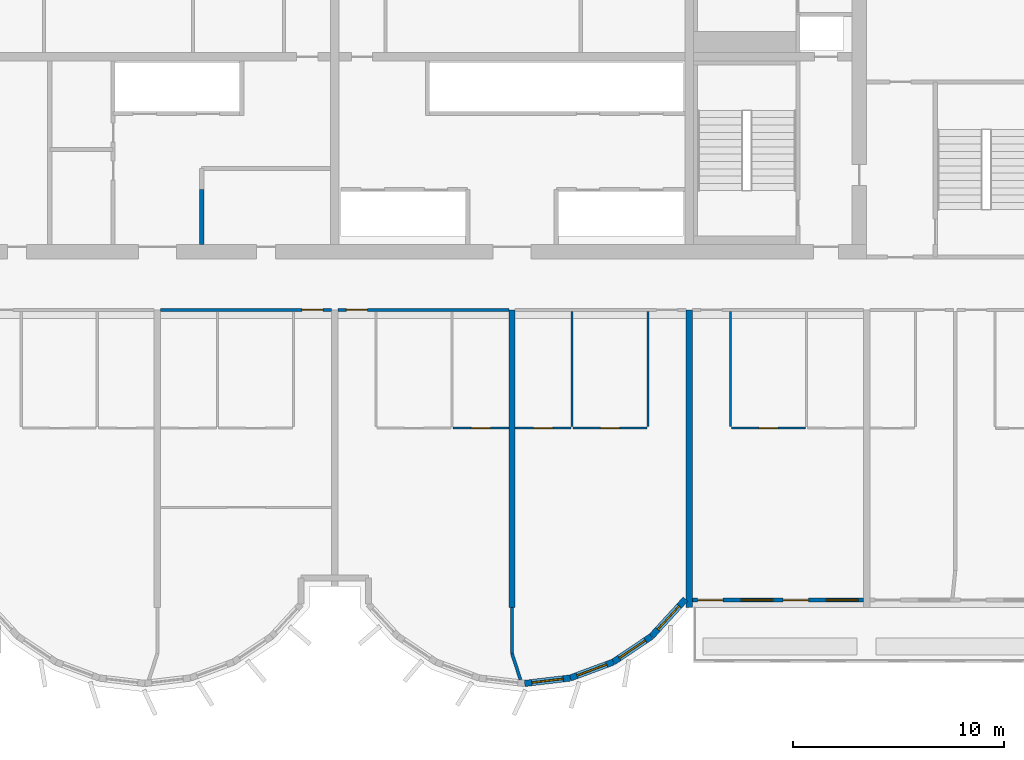
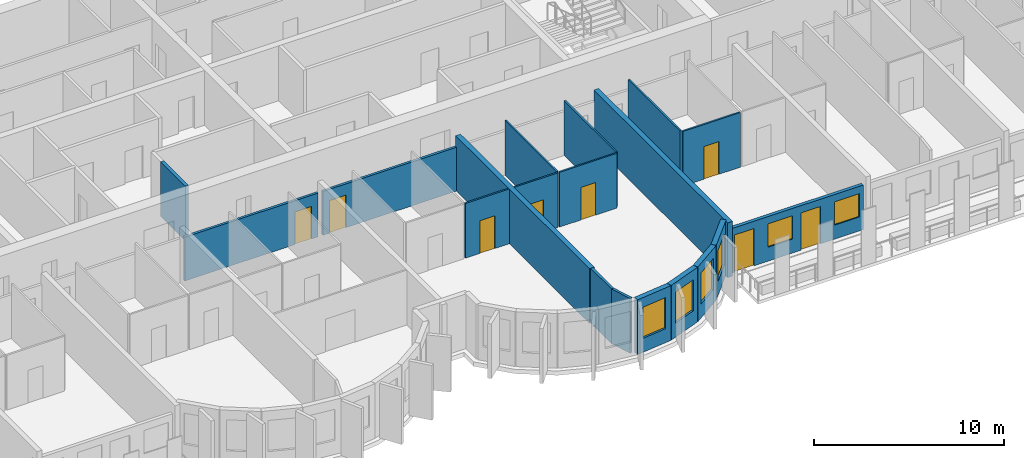
# One storey, part 5 of 13: 19 walls, 8 doors, 6 windows, 14 openings.
"""IFC4 building model written with IfcOpenShell, lengths in metres."""

from ifc_helpers import new_model, si_unit, direction, frame, frame_2d, origin, place, context, subcontext, project, spatial, rectangle, extrude, source, transform, mapped, material, layer, layer_set, type_object, element, fill, save


model = new_model("IFC4")

# Units and contexts
model_context = context("Model", 3, precision=1e-05, world=origin(), true_north=direction((0.0, 1.0)))
body_context = subcontext(model_context, "Body", "Model", "MODEL_VIEW")
ifc_project = project(units=[si_unit("LENGTHUNIT", "METRE"), si_unit("AREAUNIT", "SQUARE_METRE"), si_unit("VOLUMEUNIT", "CUBIC_METRE"), si_unit("PLANEANGLEUNIT", "RADIAN"), si_unit("MASSUNIT", "GRAM", prefix="KILO")], contexts=[model_context])

# Site, building, storey
site_placement = place(None, origin())
site = spatial("IfcSite", under=ifc_project, at=site_placement, CompositionType="ELEMENT")
building_placement = place(site_placement, origin())
building = spatial("IfcBuilding", under=site, at=building_placement, Name="Vanashikhar Sky Hotel", CompositionType="ELEMENT")
storey_placement = place(building_placement, frame((0.0, 0.0, 185.800048828125)))
storey = spatial("IfcBuildingStorey", under=building, at=storey_placement, Name="L45", CompositionType="ELEMENT", Elevation=185.800048828125)

# Walls
ifc_material_1 = material(Name="Concrete M60", Category="concrete")
ifc_layer_1 = layer(ifc_material_1, 0.300048828125)
ifc_layer_set_1 = layer_set([ifc_layer_1], Name="RC shear wall 300 Concrete M60")
wall_type_1 = type_object("IfcWallType", Name="RC shear wall 300 Concrete M60", PredefinedType="SHEAR", material=ifc_layer_set_1)
shared_shape_1 = source(origin(), body_context, "Body", "SweptSolid", [
    extrude(rectangle(XDim=14.10009765625, YDim=0.300048828125, at=frame_2d((7.050048828125, 0.0))), origin(), (0.0, 0.0, 1.0), 3.52001953125),
])
for number, where, z_axis, x_axis, name in (
    (1, (58.800048828125, 5.5, 0.0), (0.0, 0.0, 1.0), (0.0, 1.0, 0.0), "CW-L45-XW08-1"),
    (2, (67.199951171875, 5.5, 0.0), (0.0, 0.0, 1.0), (0.0, 1.0, 0.0), "CW-L45-XW09-1"),
):
    element("IfcWall", number, at=place(storey_placement, frame(where, z_axis=z_axis, x_axis=x_axis)), inside=storey, type_object=wall_type_1, Name=name, PredefinedType="SHEAR", context=body_context, shape_type="MappedRepresentation", body=[
        mapped(shared_shape_1, transform((0.0, 0.0, 0.0), scale=1.0)),
    ])

# Wall, opening, window
ifc_material_2 = material(Name="Concrete M50", Category="concrete")
ifc_layer_2 = layer(ifc_material_2, 0.300048828125)
ifc_layer_set_2 = layer_set([ifc_layer_2], Name="Lobe wall 300")
wall_type_2 = type_object("IfcWallType", Name="Lobe wall 300", PredefinedType="SOLIDWALL", material=ifc_layer_set_2)
shared_shape_2 = source(origin(), body_context, "Body", "SweptSolid", [
    extrude(rectangle(XDim=2.398193359375, YDim=0.300048828125, at=frame_2d((1.19921875, 0.0))), origin(), (0.0, 0.0, 1.0), 3.52001953125),
])
wall_1_placement = place(storey_placement, frame((65.404296875, 4.13134765625, 0.0), z_axis=(0.0, 0.0, 1.0), x_axis=(0.675374189419, 0.737475222815, 0.0)))
wall_1 = element("IfcWall", 3, at=wall_1_placement, inside=storey, type_object=wall_type_2, Name="Lobe wall", PredefinedType="SOLIDWALL", context=body_context, shape_type="MappedRepresentation", body=[
    mapped(shared_shape_2, transform((0.0, 0.0, 0.0), scale=1.0)),
])
shared_shape_3 = source(origin(), body_context, "Body", "SweptSolid", [
    extrude(rectangle(XDim=1.5, YDim=2.0, at=frame_2d((0.75, 1.0))), frame((0.0, 0.16015625, 0.0), z_axis=(0.0, -1.0, 0.0), x_axis=(1.0, 0.0, 0.0)), (0.0, 0.0, 1.0), 0.320068359375),
])
opening_1_placement = place(wall_1_placement, frame((0.44921875, 0.0, 0.89990234375)))
opening_1 = element("IfcOpeningElement", 4, at=opening_1_placement, cuts=wall_1, Name="Opening WN-2", PredefinedType="OPENING", context=body_context, shape_type="MappedRepresentation", body=[
    mapped(shared_shape_3, transform((0.0, 0.0, 0.0), scale=1.0)),
])
ifc_material_3 = material(Name="Glass", Category="glass")
window_type_1 = type_object("IfcWindowType", Name="Lobe window 1500 x 2000", PartitioningType="SINGLE_PANEL", PredefinedType="WINDOW", material=ifc_material_3)
shared_shape_4 = source(origin(), body_context, "Body", "SweptSolid", [
    extrude(rectangle(XDim=1.5, YDim=2.0, at=frame_2d((0.75, 1.0))), frame((0.0, 0.030029296875, 0.0), z_axis=(0.0, -1.0, 0.0), x_axis=(1.0, 0.0, 0.0)), (0.0, 0.0, 1.0), 0.06005859375),
])
window_1_placement = place(opening_1_placement, origin())
window_1 = element("IfcWindow", 5, at=window_1_placement, inside=storey, type_object=window_type_1, Name="Window WN-2", OverallHeight=2.0, OverallWidth=1.5, PartitioningType="SINGLE_PANEL", PredefinedType="WINDOW", context=body_context, shape_type="MappedRepresentation", body=[
    mapped(shared_shape_4, transform((0.0, 0.0, 0.0), scale=1.0)),
])
fill(opening_1, window_1)

shared_shape_5 = source(origin(), body_context, "Body", "SweptSolid", [
    extrude(rectangle(XDim=2.17578125, YDim=0.300048828125, at=frame_2d((1.087890625, 0.0))), origin(), (0.0, 0.0, 1.0), 3.52001953125),
])
wall_2_placement = place(storey_placement, frame((63.59912109375, 2.91650390625, 0.0), z_axis=(0.0, 0.0, 1.0), x_axis=(0.829625727223, 0.558319937607, 0.0)))
wall_2 = element("IfcWall", 6, at=wall_2_placement, inside=storey, type_object=wall_type_2, Name="Lobe wall", PredefinedType="SOLIDWALL", context=body_context, shape_type="MappedRepresentation", body=[
    mapped(shared_shape_5, transform((0.0, 0.0, 0.0), scale=1.0)),
])
opening_2_placement = place(wall_2_placement, frame((0.337890625, 0.0, 0.89990234375)))
opening_2 = element("IfcOpeningElement", 7, at=opening_2_placement, cuts=wall_2, Name="Opening WN-2", PredefinedType="OPENING", context=body_context, shape_type="MappedRepresentation", body=[
    mapped(shared_shape_3, transform((0.0, 0.0, 0.0), scale=1.0)),
])
window_2_placement = place(opening_2_placement, origin())
window_2 = element("IfcWindow", 8, at=window_2_placement, inside=storey, type_object=window_type_1, Name="Window WN-2", OverallHeight=2.0, OverallWidth=1.5, PartitioningType="SINGLE_PANEL", PredefinedType="WINDOW", context=body_context, shape_type="MappedRepresentation", body=[
    mapped(shared_shape_4, transform((0.0, 0.0, 0.0), scale=1.0)),
])
fill(opening_2, window_2)

shared_shape_6 = source(origin(), body_context, "Body", "SweptSolid", [
    extrude(rectangle(XDim=2.1748046875, YDim=0.300048828125, at=frame_2d((1.08740234375, 0.0))), origin(), (0.0, 0.0, 1.0), 3.52001953125),
])
wall_3_placement = place(storey_placement, frame((59.39990234375, 1.90283203125, 0.0), z_axis=(0.0, 0.0, 1.0), x_axis=(0.993002698611, 0.118091661648, 0.0)))
wall_3 = element("IfcWall", 9, at=wall_3_placement, inside=storey, type_object=wall_type_2, Name="Lobe wall", PredefinedType="SOLIDWALL", context=body_context, shape_type="MappedRepresentation", body=[
    mapped(shared_shape_6, transform((0.0, 0.0, 0.0), scale=1.0)),
])
opening_3_placement = place(wall_3_placement, frame((0.33740234375, 0.0, 0.89990234375)))
opening_3 = element("IfcOpeningElement", 10, at=opening_3_placement, cuts=wall_3, Name="Opening WN-2", PredefinedType="OPENING", context=body_context, shape_type="MappedRepresentation", body=[
    mapped(shared_shape_3, transform((0.0, 0.0, 0.0), scale=1.0)),
])
window_3_placement = place(opening_3_placement, origin())
window_3 = element("IfcWindow", 11, at=window_3_placement, inside=storey, type_object=window_type_1, Name="Window WN-2", OverallHeight=2.0, OverallWidth=1.5, PartitioningType="SINGLE_PANEL", PredefinedType="WINDOW", context=body_context, shape_type="MappedRepresentation", body=[
    mapped(shared_shape_4, transform((0.0, 0.0, 0.0), scale=1.0)),
])
fill(opening_3, window_3)

shared_shape_7 = source(origin(), body_context, "Body", "SweptSolid", [
    extrude(rectangle(XDim=2.175537109375, YDim=0.300048828125, at=frame_2d((1.087890625, 0.0))), origin(), (0.0, 0.0, 1.0), 3.52001953125),
])
wall_4_placement = place(storey_placement, frame((61.5595703125, 2.15966796875, 0.0), z_axis=(0.0, 0.0, 1.0), x_axis=(0.937531979054, 0.347899106424, 0.0)))
wall_4 = element("IfcWall", 12, at=wall_4_placement, inside=storey, type_object=wall_type_2, Name="Lobe wall", PredefinedType="SOLIDWALL", context=body_context, shape_type="MappedRepresentation", body=[
    mapped(shared_shape_7, transform((0.0, 0.0, 0.0), scale=1.0)),
])
opening_4_placement = place(wall_4_placement, frame((0.337890625, 0.0, 0.89990234375)))
opening_4 = element("IfcOpeningElement", 13, at=opening_4_placement, cuts=wall_4, Name="Opening WN-2", PredefinedType="OPENING", context=body_context, shape_type="MappedRepresentation", body=[
    mapped(shared_shape_3, transform((0.0, 0.0, 0.0), scale=1.0)),
])
window_4_placement = place(opening_4_placement, origin())
window_4 = element("IfcWindow", 14, at=window_4_placement, inside=storey, type_object=window_type_1, Name="Window WN-2", OverallHeight=2.0, OverallWidth=1.5, PartitioningType="SINGLE_PANEL", PredefinedType="WINDOW", context=body_context, shape_type="MappedRepresentation", body=[
    mapped(shared_shape_4, transform((0.0, 0.0, 0.0), scale=1.0)),
])
fill(opening_4, window_4)

# Wall, openings, windows, doors
ifc_layer_3 = layer(ifc_material_2, 0.199951171875)
ifc_layer_set_3 = layer_set([ifc_layer_3], Name="Front window wall 200")
wall_type_3 = type_object("IfcWallType", Name="Front window wall 200", PredefinedType="SOLIDWALL", material=ifc_layer_set_3)
shared_shape_8 = source(origin(), body_context, "Body", "SweptSolid", [
    extrude(rectangle(XDim=8.099853515625, YDim=0.199951171875, at=frame_2d((4.0498046875, 0.0))), origin(), (0.0, 0.0, 1.0), 2.869873046875),
])
wall_5_placement = place(storey_placement, frame((67.35009765625, 5.85009765625, 0.0), z_axis=(0.0, 0.0, 1.0), x_axis=(1.0, 0.0, 0.0)))
wall_5 = element("IfcWall", 15, at=wall_5_placement, inside=storey, type_object=wall_type_3, Name="Front window wall", PredefinedType="SOLIDWALL", context=body_context, shape_type="MappedRepresentation", body=[
    mapped(shared_shape_8, transform((0.0, 0.0, 0.0), scale=1.0)),
])
shared_shape_9 = source(origin(), body_context, "Body", "SweptSolid", [
    extrude(rectangle(XDim=1.199951171875, YDim=2.39990234375, at=frame_2d((0.60009765625, 1.199951171875))), frame((0.0, 0.10986328125, 0.0), z_axis=(0.0, -1.0, 0.0), x_axis=(1.0, 0.0, 0.0)), (0.0, 0.0, 1.0), 0.219970703125),
])
opening_5_placement = place(wall_5_placement, frame((0.25, 0.0, 0.0)))
opening_5 = element("IfcOpeningElement", 16, at=opening_5_placement, cuts=wall_5, Name="Opening BD-06", PredefinedType="OPENING", context=body_context, shape_type="MappedRepresentation", body=[
    mapped(shared_shape_9, transform((0.0, 0.0, 0.0), scale=1.0)),
])
shared_shape_10 = source(origin(), body_context, "Body", "SweptSolid", [
    extrude(rectangle(XDim=1.5, YDim=1.5, at=frame_2d((0.75, 0.75))), frame((0.0, 0.10986328125, 0.0), z_axis=(0.0, -1.0, 0.0), x_axis=(1.0, 0.0, 0.0)), (0.0, 0.0, 1.0), 0.219970703125),
])
opening_6_placement = place(wall_5_placement, frame((2.300048828125, 0.0, 0.89990234375)))
opening_6 = element("IfcOpeningElement", 17, at=opening_6_placement, cuts=wall_5, Name="Opening WN-1", PredefinedType="OPENING", context=body_context, shape_type="MappedRepresentation", body=[
    mapped(shared_shape_10, transform((0.0, 0.0, 0.0), scale=1.0)),
])
opening_7_placement = place(wall_5_placement, frame((4.300048828125, 0.0, 0.0)))
opening_7 = element("IfcOpeningElement", 18, at=opening_7_placement, cuts=wall_5, Name="Opening BD-07", PredefinedType="OPENING", context=body_context, shape_type="MappedRepresentation", body=[
    mapped(shared_shape_9, transform((0.0, 0.0, 0.0), scale=1.0)),
])
opening_8_placement = place(wall_5_placement, frame((6.35009765625, 0.0, 0.89990234375)))
opening_8 = element("IfcOpeningElement", 19, at=opening_8_placement, cuts=wall_5, Name="Opening WN-1", PredefinedType="OPENING", context=body_context, shape_type="MappedRepresentation", body=[
    mapped(shared_shape_10, transform((0.0, 0.0, 0.0), scale=1.0)),
])
window_type_2 = type_object("IfcWindowType", Name="Window 1500 x 1500", PartitioningType="SINGLE_PANEL", PredefinedType="WINDOW", material=ifc_material_3)
shared_shape_11 = source(origin(), body_context, "Body", "SweptSolid", [
    extrude(rectangle(XDim=1.5, YDim=1.5, at=frame_2d((0.75, 0.75))), frame((0.0, 0.030029296875, 0.0), z_axis=(0.0, -1.0, 0.0), x_axis=(1.0, 0.0, 0.0)), (0.0, 0.0, 1.0), 0.06005859375),
])
window_5_placement = place(opening_6_placement, origin())
window_5 = element("IfcWindow", 20, at=window_5_placement, inside=storey, type_object=window_type_2, Name="Window WN-1", OverallHeight=1.5, OverallWidth=1.5, PartitioningType="SINGLE_PANEL", PredefinedType="WINDOW", context=body_context, shape_type="MappedRepresentation", body=[
    mapped(shared_shape_11, transform((0.0, 0.0, 0.0), scale=1.0)),
])
fill(opening_6, window_5)
window_6_placement = place(opening_8_placement, origin())
window_6 = element("IfcWindow", 21, at=window_6_placement, inside=storey, type_object=window_type_2, Name="Window WN-1", OverallHeight=1.5, OverallWidth=1.5, PartitioningType="SINGLE_PANEL", PredefinedType="WINDOW", context=body_context, shape_type="MappedRepresentation", body=[
    mapped(shared_shape_11, transform((0.0, 0.0, 0.0), scale=1.0)),
])
fill(opening_8, window_6)
ifc_material_4 = material(Name="Aluminium", Category="aluminium")
door_type_1 = type_object("IfcDoorType", Name="Balcony sliding door 1200 x 2400", OperationType="NOTDEFINED", PredefinedType="DOOR", material=ifc_material_4)
shared_shape_12 = source(origin(), body_context, "Body", "SweptSolid", [
    extrude(rectangle(XDim=1.199951171875, YDim=2.39990234375, at=frame_2d((0.60009765625, 1.199951171875))), frame((0.0, 0.02490234375, 0.0), z_axis=(0.0, -1.0, 0.0), x_axis=(1.0, 0.0, 0.0)), (0.0, 0.0, 1.0), 0.050048828125),
])
door_1_placement = place(opening_5_placement, origin())
door_1 = element("IfcDoor", 22, at=door_1_placement, inside=storey, type_object=door_type_1, Name="Balcony sliding door", OperationType="SLIDING_TO_RIGHT", OverallHeight=2.39990234375, OverallWidth=1.199951171875, PredefinedType="DOOR", context=body_context, shape_type="MappedRepresentation", body=[
    mapped(shared_shape_12, transform((0.0, 0.0, 0.0), scale=1.0)),
])
fill(opening_5, door_1)
door_2_placement = place(opening_7_placement, origin())
door_2 = element("IfcDoor", 23, at=door_2_placement, inside=storey, type_object=door_type_1, Name="Balcony sliding door", OperationType="SLIDING_TO_LEFT", OverallHeight=2.39990234375, OverallWidth=1.199951171875, PredefinedType="DOOR", context=body_context, shape_type="MappedRepresentation", body=[
    mapped(shared_shape_12, transform((0.0, 0.0, 0.0), scale=1.0)),
])
fill(opening_7, door_2)

# Walls
ifc_material_5 = material(Name="Gypsum board partition")
ifc_layer_4 = layer(ifc_material_5, 0.14990234375)
ifc_layer_set_4 = layer_set([ifc_layer_4], Name="Service partition 150")
wall_type_4 = type_object("IfcWallType", Name="Service partition 150", PredefinedType="PARTITIONING", material=ifc_layer_set_4)
shared_shape_13 = source(origin(), body_context, "Body", "SweptSolid", [
    extrude(rectangle(XDim=2.60009765625, YDim=0.199951171875, at=frame_2d((1.300048828125, 0.0))), origin(), (0.0, 0.0, 1.0), 3.52001953125),
])
wall_6_placement = place(storey_placement, frame((44.10009765625, 22.699951171875, 0.0), z_axis=(0.0, 0.0, 1.0), x_axis=(0.0, 1.0, 0.0)))
element("IfcWall", 24, at=wall_6_placement, inside=storey, type_object=wall_type_4, Name="Service partition 150", PredefinedType="PARTITIONING", context=body_context, shape_type="MappedRepresentation", body=[
    mapped(shared_shape_13, transform((0.0, 0.0, 0.0), scale=1.0)),
])
ifc_material_6 = material(Name="Gypsum plasterboard partition")
ifc_layer_5 = layer(ifc_material_6, 0.14990234375)
ifc_layer_set_5 = layer_set([ifc_layer_5], Name="Corridor and demising partition 150")
wall_type_5 = type_object("IfcWallType", Name="Corridor and demising partition 150", PredefinedType="PARTITIONING", material=ifc_layer_set_5)
shared_shape_14 = source(origin(), body_context, "Body", "SweptSolid", [
    extrude(rectangle(XDim=2.177978515625, YDim=0.14990234375, at=frame_2d((1.0888671875, 0.0))), origin(), (0.0, 0.0, 1.0), 3.52001953125),
])
wall_7_placement = place(storey_placement, frame((58.800048828125, 3.322021484375, 0.0), z_axis=(0.0, 0.0, 1.0), x_axis=(0.0, 1.0, 0.0)))
element("IfcWall", 25, at=wall_7_placement, inside=storey, type_object=wall_type_5, Name="W-L45-PW059", PredefinedType="PARTITIONING", context=body_context, shape_type="MappedRepresentation", body=[
    mapped(shared_shape_14, transform((0.0, 0.0, 0.0), scale=1.0)),
])

# Wall, opening, door
ifc_layer_6 = layer(ifc_material_6, 0.10009765625)
ifc_layer_set_6 = layer_set([ifc_layer_6], Name="Wet room partition 100")
wall_type_6 = type_object("IfcWallType", Name="Wet room partition 100", PredefinedType="PARTITIONING", material=ifc_layer_set_6)
shared_shape_15 = source(origin(), body_context, "Body", "SweptSolid", [
    extrude(rectangle(XDim=3.5, YDim=0.10009765625, at=frame_2d((1.75, 0.0))), origin(), (0.0, 0.0, 1.0), 3.52001953125),
])
wall_8_placement = place(storey_placement, frame((61.699951171875, 14.0, 0.0), z_axis=(0.0, 0.0, 1.0), x_axis=(1.0, 0.0, 0.0)))
wall_8 = element("IfcWall", 26, at=wall_8_placement, inside=storey, type_object=wall_type_6, Name="W-L45-PW036", PredefinedType="PARTITIONING", context=body_context, shape_type="MappedRepresentation", body=[
    mapped(shared_shape_15, transform((0.0, 0.0, 0.0), scale=1.0)),
])
shared_shape_16 = source(origin(), body_context, "Body", "SweptSolid", [
    extrude(rectangle(XDim=0.89990234375, YDim=2.10009765625, at=frame_2d((0.449951171875, 1.050048828125))), frame((0.0, 0.06005859375, 0.0), z_axis=(0.0, -1.0, 0.0), x_axis=(1.0, 0.0, 0.0)), (0.0, 0.0, 1.0), 0.1201171875),
])
opening_9_placement = place(wall_8_placement, frame((1.300048828125, 0.0, 0.0)))
opening_9 = element("IfcOpeningElement", 27, at=opening_9_placement, cuts=wall_8, Name="Opening D-02", PredefinedType="OPENING", context=body_context, shape_type="MappedRepresentation", body=[
    mapped(shared_shape_16, transform((0.0, 0.0, 0.0), scale=1.0)),
])
ifc_material_7 = material(Name="Timber door", Category="wood")
door_type_2 = type_object("IfcDoorType", Name="Internal door 900", OperationType="NOTDEFINED", PredefinedType="DOOR", material=ifc_material_7)
shared_shape_17 = source(origin(), body_context, "Body", "SweptSolid", [
    extrude(rectangle(XDim=0.89990234375, YDim=2.10009765625, at=frame_2d((0.449951171875, 1.050048828125))), frame((0.0, 0.02490234375, 0.0), z_axis=(0.0, -1.0, 0.0), x_axis=(1.0, 0.0, 0.0)), (0.0, 0.0, 1.0), 0.050048828125),
])
door_3_placement = place(opening_9_placement, origin())
door_3 = element("IfcDoor", 28, at=door_3_placement, inside=storey, type_object=door_type_2, Name="D-L45-021", OperationType="SINGLE_SWING_RIGHT", OverallHeight=2.10009765625, OverallWidth=0.89990234375, PredefinedType="DOOR", context=body_context, shape_type="MappedRepresentation", body=[
    mapped(shared_shape_17, transform((0.0, 0.0, 0.0), scale=1.0)),
])
fill(opening_9, door_3)

wall_9_placement = place(storey_placement, frame((69.199951171875, 14.0, 0.0), z_axis=(0.0, 0.0, 1.0), x_axis=(1.0, 0.0, 0.0)))
wall_9 = element("IfcWall", 29, at=wall_9_placement, inside=storey, type_object=wall_type_6, Name="W-L45-PW041", PredefinedType="PARTITIONING", context=body_context, shape_type="MappedRepresentation", body=[
    mapped(shared_shape_15, transform((0.0, 0.0, 0.0), scale=1.0)),
])
opening_10_placement = place(wall_9_placement, frame((1.300048828125, 0.0, 0.0)))
opening_10 = element("IfcOpeningElement", 30, at=opening_10_placement, cuts=wall_9, Name="Opening D-02", PredefinedType="OPENING", context=body_context, shape_type="MappedRepresentation", body=[
    mapped(shared_shape_16, transform((0.0, 0.0, 0.0), scale=1.0)),
])
door_4_placement = place(opening_10_placement, origin())
door_4 = element("IfcDoor", 31, at=door_4_placement, inside=storey, type_object=door_type_2, Name="D-L45-024", OperationType="SINGLE_SWING_LEFT", OverallHeight=2.10009765625, OverallWidth=0.89990234375, PredefinedType="DOOR", context=body_context, shape_type="MappedRepresentation", body=[
    mapped(shared_shape_17, transform((0.0, 0.0, 0.0), scale=1.0)),
])
fill(opening_10, door_4)

# Walls
shared_shape_18 = source(origin(), body_context, "Body", "SweptSolid", [
    extrude(rectangle(XDim=1.308349609375, YDim=0.14990234375, at=frame_2d((0.654296875, 0.0))), origin(), (0.0, 0.0, 1.0), 3.52001953125),
])
wall_10_placement = place(storey_placement, frame((59.201904296875, 2.076904296875, 0.0), z_axis=(0.0, 0.0, 1.0), x_axis=(-0.307144529633, 0.951662880392, 0.0)))
element("IfcWall", 32, at=wall_10_placement, inside=storey, type_object=wall_type_5, Name="W-L45-PW059B0", PredefinedType="PARTITIONING", context=body_context, shape_type="MappedRepresentation", body=[
    mapped(shared_shape_18, transform((0.0, 0.0, 0.0), scale=1.0)),
])
shared_shape_19 = source(origin(), body_context, "Body", "SweptSolid", [
    extrude(rectangle(XDim=5.449951171875, YDim=0.10009765625, at=frame_2d((2.72509765625, 0.0))), origin(), (0.0, 0.0, 1.0), 3.52001953125),
])
for number, where, z_axis, x_axis, name in (
    (33, (65.25, 14.074951171875, 0.0), (0.0, 0.0, 1.0), (0.0, 1.0, 0.0), "W-L45-PW034"),
    (34, (61.64990234375, 14.074951171875, 0.0), (0.0, 0.0, 1.0), (0.0, 1.0, 0.0), "W-L45-PW035"),
    (35, (69.14990234375, 14.074951171875, 0.0), (0.0, 0.0, 1.0), (0.0, 1.0, 0.0), "W-L45-PW039"),
):
    element("IfcWall", number, at=place(storey_placement, frame(where, z_axis=z_axis, x_axis=x_axis)), inside=storey, type_object=wall_type_6, Name=name, PredefinedType="PARTITIONING", context=body_context, shape_type="MappedRepresentation", body=[
        mapped(shared_shape_19, transform((0.0, 0.0, 0.0), scale=1.0)),
    ])

# Wall, opening, door
shared_shape_20 = source(origin(), body_context, "Body", "SweptSolid", [
    extrude(rectangle(XDim=2.64990234375, YDim=0.10009765625, at=frame_2d((1.324951171875, 0.0))), origin(), (0.0, 0.0, 1.0), 3.52001953125),
])
wall_11_placement = place(storey_placement, frame((56.0, 14.0, 0.0), z_axis=(0.0, 0.0, 1.0), x_axis=(1.0, 0.0, 0.0)))
wall_11 = element("IfcWall", 36, at=wall_11_placement, inside=storey, type_object=wall_type_6, Name="W-L45-PW032", PredefinedType="PARTITIONING", context=body_context, shape_type="MappedRepresentation", body=[
    mapped(shared_shape_20, transform((0.0, 0.0, 0.0), scale=1.0)),
])
opening_11_placement = place(wall_11_placement, frame((0.875, 0.0, 0.0)))
opening_11 = element("IfcOpeningElement", 37, at=opening_11_placement, cuts=wall_11, Name="Opening D-02", PredefinedType="OPENING", context=body_context, shape_type="MappedRepresentation", body=[
    mapped(shared_shape_16, transform((0.0, 0.0, 0.0), scale=1.0)),
])
door_5_placement = place(opening_11_placement, origin())
door_5 = element("IfcDoor", 38, at=door_5_placement, inside=storey, type_object=door_type_2, Name="D-L45-019", OperationType="SINGLE_SWING_LEFT", OverallHeight=2.10009765625, OverallWidth=0.89990234375, PredefinedType="DOOR", context=body_context, shape_type="MappedRepresentation", body=[
    mapped(shared_shape_17, transform((0.0, 0.0, 0.0), scale=1.0)),
])
fill(opening_11, door_5)

shared_shape_21 = source(origin(), body_context, "Body", "SweptSolid", [
    extrude(rectangle(XDim=2.650146484375, YDim=0.10009765625, at=frame_2d((1.3251953125, 0.0))), origin(), (0.0, 0.0, 1.0), 3.52001953125),
])
wall_12_placement = place(storey_placement, frame((58.949951171875, 14.0, 0.0), z_axis=(0.0, 0.0, 1.0), x_axis=(1.0, 0.0, 0.0)))
wall_12 = element("IfcWall", 39, at=wall_12_placement, inside=storey, type_object=wall_type_6, Name="W-L45-PW037", PredefinedType="PARTITIONING", context=body_context, shape_type="MappedRepresentation", body=[
    mapped(shared_shape_21, transform((0.0, 0.0, 0.0), scale=1.0)),
])
opening_12_placement = place(wall_12_placement, frame((0.875, 0.0, 0.0)))
opening_12 = element("IfcOpeningElement", 40, at=opening_12_placement, cuts=wall_12, Name="Opening D-02", PredefinedType="OPENING", context=body_context, shape_type="MappedRepresentation", body=[
    mapped(shared_shape_16, transform((0.0, 0.0, 0.0), scale=1.0)),
])
door_6_placement = place(opening_12_placement, origin())
door_6 = element("IfcDoor", 41, at=door_6_placement, inside=storey, type_object=door_type_2, Name="D-L45-022", OperationType="SINGLE_SWING_RIGHT", OverallHeight=2.10009765625, OverallWidth=0.89990234375, PredefinedType="DOOR", context=body_context, shape_type="MappedRepresentation", body=[
    mapped(shared_shape_17, transform((0.0, 0.0, 0.0), scale=1.0)),
])
fill(opening_12, door_6)

shared_shape_22 = source(origin(), body_context, "Body", "SweptSolid", [
    extrude(rectangle(XDim=8.10009765625, YDim=0.14990234375, at=frame_2d((4.050048828125, 0.0))), origin(), (0.0, 0.0, 1.0), 2.820068359375),
])
wall_13_placement = place(storey_placement, frame((42.14990234375, 19.60009765625, 0.0), z_axis=(0.0, 0.0, 1.0), x_axis=(1.0, 0.0, 0.0)))
wall_13 = element("IfcWall", 42, at=wall_13_placement, inside=storey, type_object=wall_type_5, Name="W-L45-PW028", PredefinedType="PARTITIONING", context=body_context, shape_type="MappedRepresentation", body=[
    mapped(shared_shape_22, transform((0.0, 0.0, 0.0), scale=1.0)),
])
shared_shape_23 = source(origin(), body_context, "Body", "SweptSolid", [
    extrude(rectangle(XDim=1.0, YDim=2.10009765625, at=frame_2d((0.5, 1.050048828125))), frame((0.0, 0.0849609375, 0.0), z_axis=(0.0, -1.0, 0.0), x_axis=(1.0, 0.0, 0.0)), (0.0, 0.0, 1.0), 0.169921875),
])
opening_13_placement = place(wall_13_placement, frame((6.699951171875, 0.0, 0.0)))
opening_13 = element("IfcOpeningElement", 43, at=opening_13_placement, cuts=wall_13, Name="Opening D-01", PredefinedType="OPENING", context=body_context, shape_type="MappedRepresentation", body=[
    mapped(shared_shape_23, transform((0.0, 0.0, 0.0), scale=1.0)),
])
ifc_material_8 = material(Name="Timber fire door", Category="wood")
door_type_3 = type_object("IfcDoorType", Name="Guest entry door 1000 FD30S", OperationType="NOTDEFINED", PredefinedType="DOOR", material=ifc_material_8)
shared_shape_24 = source(origin(), body_context, "Body", "SweptSolid", [
    extrude(rectangle(XDim=1.0, YDim=2.10009765625, at=frame_2d((0.5, 1.050048828125))), frame((0.0, 0.02490234375, 0.0), z_axis=(0.0, -1.0, 0.0), x_axis=(1.0, 0.0, 0.0)), (0.0, 0.0, 1.0), 0.050048828125),
])
door_7_placement = place(opening_13_placement, origin())
door_7 = element("IfcDoor", 44, at=door_7_placement, inside=storey, type_object=door_type_3, Name="D-L45-017", OperationType="SINGLE_SWING_RIGHT", OverallHeight=2.10009765625, OverallWidth=1.0, PredefinedType="DOOR", context=body_context, shape_type="MappedRepresentation", body=[
    mapped(shared_shape_24, transform((0.0, 0.0, 0.0), scale=1.0)),
])
fill(opening_13, door_7)

shared_shape_25 = source(origin(), body_context, "Body", "SweptSolid", [
    extrude(rectangle(XDim=8.099853515625, YDim=0.14990234375, at=frame_2d((4.0498046875, 0.0))), origin(), (0.0, 0.0, 1.0), 2.820068359375),
])
wall_14_placement = place(storey_placement, frame((50.550048828125, 19.60009765625, 0.0), z_axis=(0.0, 0.0, 1.0), x_axis=(1.0, 0.0, 0.0)))
wall_14 = element("IfcWall", 45, at=wall_14_placement, inside=storey, type_object=wall_type_5, Name="W-L45-PW033", PredefinedType="PARTITIONING", context=body_context, shape_type="MappedRepresentation", body=[
    mapped(shared_shape_25, transform((0.0, 0.0, 0.0), scale=1.0)),
])
opening_14_placement = place(wall_14_placement, frame((0.39990234375, 0.0, 0.0)))
opening_14 = element("IfcOpeningElement", 46, at=opening_14_placement, cuts=wall_14, Name="Opening D-01", PredefinedType="OPENING", context=body_context, shape_type="MappedRepresentation", body=[
    mapped(shared_shape_23, transform((0.0, 0.0, 0.0), scale=1.0)),
])
door_8_placement = place(opening_14_placement, origin())
door_8 = element("IfcDoor", 47, at=door_8_placement, inside=storey, type_object=door_type_3, Name="D-L45-020", OperationType="SINGLE_SWING_LEFT", OverallHeight=2.10009765625, OverallWidth=1.0, PredefinedType="DOOR", context=body_context, shape_type="MappedRepresentation", body=[
    mapped(shared_shape_24, transform((0.0, 0.0, 0.0), scale=1.0)),
])
fill(opening_14, door_8)

save(model, "model.ifc")
